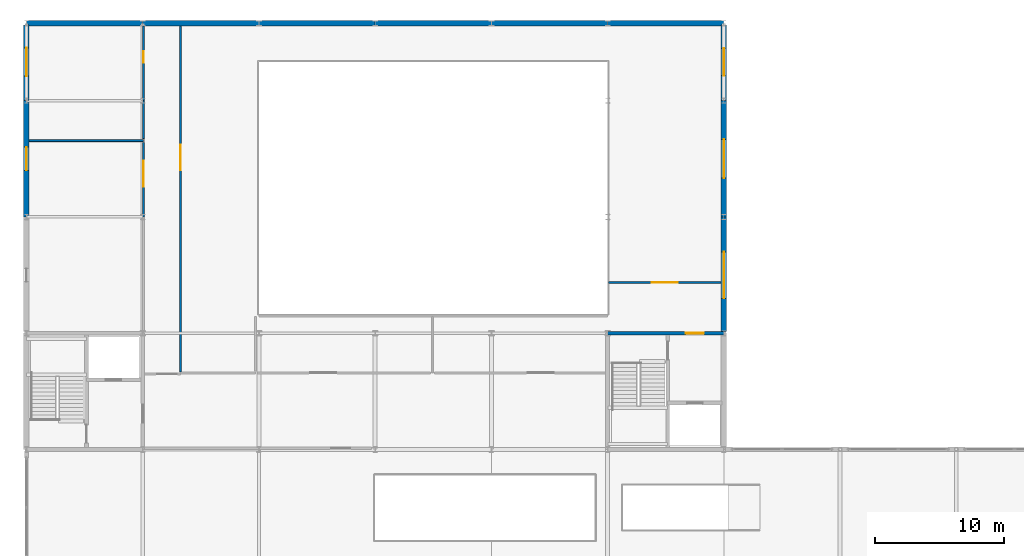
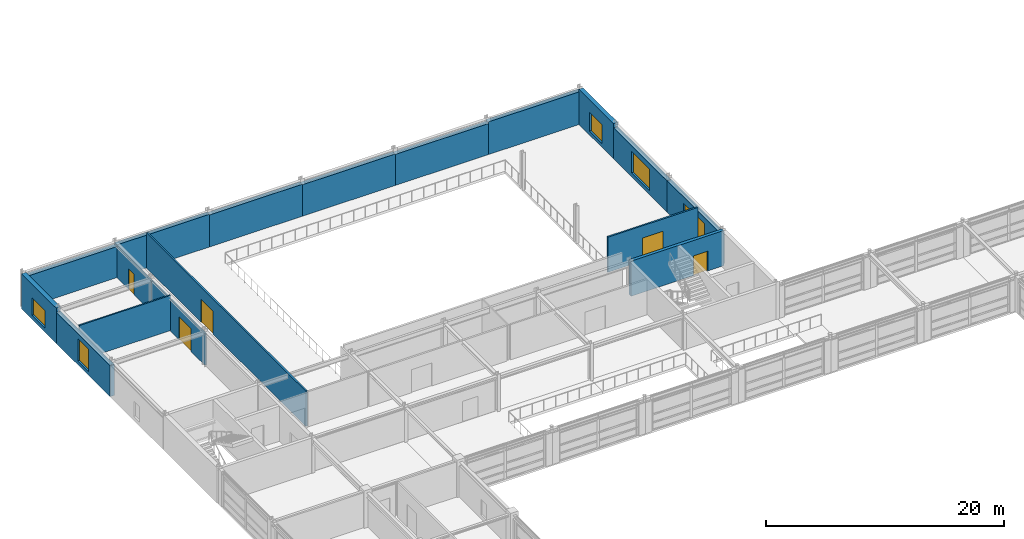
# One storey, part 68 of 79: 18 walls, 5 doors, 5 windows, 10 openings.
"""IFC4 building model written with IfcOpenShell, lengths in metres."""

from ifc_helpers import new_model, si_unit, direction, frame, frame_2d, origin, place, context, subcontext, project, spatial, rectangle, extrude, material, layer, layer_set, type_object, element, fill, save


model = new_model("IFC4")

# Units and contexts
model_context = context("Model", 3, precision=1e-05, world=origin(), true_north=direction((0.0, 1.0)))
body_context = subcontext(model_context, "Body", "Model", "MODEL_VIEW")
ifc_project = project(units=[si_unit("LENGTHUNIT", "METRE"), si_unit("AREAUNIT", "SQUARE_METRE"), si_unit("VOLUMEUNIT", "CUBIC_METRE"), si_unit("PLANEANGLEUNIT", "RADIAN"), si_unit("MASSUNIT", "GRAM", prefix="KILO")], contexts=[model_context])

# Site, building, storey
site_placement = place(None, origin())
site = spatial("IfcSite", under=ifc_project, at=site_placement, CompositionType="ELEMENT")
building_placement = place(site_placement, origin())
building = spatial("IfcBuilding", under=site, at=building_placement, Name="Palais des Congres Ocreval", CompositionType="ELEMENT")
storey_placement = place(building_placement, frame((0.0, 0.0, 4.320068359375)))
storey = spatial("IfcBuildingStorey", under=building, at=storey_placement, Name="L01", CompositionType="ELEMENT", Elevation=4.320068359375)

# Walls
ifc_material_1 = material(Name="Moisture-resistant gypsum board")
ifc_layer_1 = layer(ifc_material_1, 0.139892578125)
ifc_layer_set_1 = layer_set([ifc_layer_1], Name="Bathroom Plumbing Chase Wall 140 Gypsum (Moisture-resistant gypsum board)")
wall_type_1 = type_object("IfcWallType", Name="Bathroom Plumbing Chase Wall 140 Gypsum", PredefinedType="PLUMBINGWALL", material=ifc_layer_set_1)
wall_1_placement = place(storey_placement, frame((0.215087890625, 104.909912109375, 0.0), z_axis=(0.0, 0.0, 1.0), x_axis=(1.0, 0.0, 0.0)))
element("IfcWall", 1, at=wall_1_placement, inside=storey, type_object=wall_type_1, Name="Interior Partition PW03 L01", PredefinedType="PLUMBINGWALL", context=body_context, shape_type="SweptSolid", body=[
    extrude(rectangle(XDim=8.844970703125, YDim=0.139892578125, at=frame_2d((4.42236328125, 0.0))), origin(), (0.0, 0.0, 1.0), 3.599853515625),
])
wall_2_placement = place(storey_placement, frame((9.06494140625, 105.06494140625, 0.0), z_axis=(0.0, 0.0, 1.0), x_axis=(0.0, 1.0, 0.0)))
element("IfcWall", 2, at=wall_2_placement, inside=storey, type_object=wall_type_1, Name="Interior Partition PW03 L01", PredefinedType="PLUMBINGWALL", context=body_context, shape_type="SweptSolid", body=[
    extrude(rectangle(XDim=2.9150390625, YDim=0.139892578125, at=frame_2d((1.45751953125, 0.0))), origin(), (0.0, 0.0, 1.0), 3.25),
])

# Wall, opening, door
wall_3_placement = place(storey_placement, frame((9.06494140625, 107.97998046875, 0.0), z_axis=(0.0, 0.0, 1.0), x_axis=(0.0, 1.0, 0.0)))
wall_3 = element("IfcWall", 3, at=wall_3_placement, inside=storey, type_object=wall_type_1, Name="Interior Partition PW03 L01", PredefinedType="PLUMBINGWALL", context=body_context, shape_type="SweptSolid", body=[
    extrude(rectangle(XDim=5.804931640625, YDim=0.139892578125, at=frame_2d((2.90234375, 0.0))), origin(), (0.0, 0.0, 1.0), 3.18994140625),
])
opening_1_placement = place(wall_3_placement, frame((2.955078125, 0.0, 0.0)))
opening_1 = element("IfcOpeningElement", 4, at=opening_1_placement, cuts=wall_3, Name="Opening D09", PredefinedType="OPENING", context=body_context, shape_type="SweptSolid", body=[
    extrude(rectangle(XDim=0.89990234375, YDim=2.10009765625, at=frame_2d((0.449951171875, 1.050048828125))), frame((0.0, 0.079833984375, 0.0), z_axis=(0.0, -1.0, 0.0), x_axis=(1.0, 0.0, 0.0)), (0.0, 0.0, 1.0), 0.159912109375),
])
ifc_material_2 = material(Name="Solid French oak", Category="wood")
door_type_1 = type_object("IfcDoorType", Name="Accessible Restroom Door 900x2100", OperationType="NOTDEFINED", PredefinedType="DOOR", material=ifc_material_2)
door_1_placement = place(opening_1_placement, origin())
door_1 = element("IfcDoor", 5, at=door_1_placement, inside=storey, type_object=door_type_1, Name="Interior Door D09 L01", OperationType="SINGLE_SWING_LEFT", OverallHeight=2.10009765625, OverallWidth=0.89990234375, PredefinedType="DOOR", context=body_context, shape_type="SweptSolid", body=[
    extrude(rectangle(XDim=0.89990234375, YDim=2.10009765625, at=frame_2d((0.449951171875, 1.050048828125))), frame((0.0, 0.02490234375, 0.0), z_axis=(0.0, -1.0, 0.0), x_axis=(1.0, 0.0, 0.0)), (0.0, 0.0, 1.0), 0.050048828125),
])
fill(opening_1, door_1)

# Wall, opening, window
ifc_material_3 = material(Name="Concrete C40/50", Category="concrete")
ifc_layer_2 = layer(ifc_material_3, 0.419921875)
ifc_layer_set_2 = layer_set([ifc_layer_2], Name="Congress Stone Facade Wall 420 Concrete C40/50")
wall_type_2 = type_object("IfcWallType", Name="Congress Stone Facade Wall 420 Concrete C40/50", PredefinedType="SOLIDWALL", material=ifc_layer_set_2)
wall_4_placement = place(storey_placement, frame((0.0, 99.0, 0.0), z_axis=(0.0, 0.0, 1.0), x_axis=(0.0, 1.0, 0.0)))
wall_4 = element("IfcWall", 6, at=wall_4_placement, inside=storey, type_object=wall_type_2, Name="Exterior Wall EW02 L01", PredefinedType="SOLIDWALL", context=body_context, shape_type="SweptSolid", body=[
    extrude(rectangle(XDim=9.0, YDim=0.419921875, at=frame_2d((4.5, 0.0))), origin(), (0.0, 0.0, 1.0), 3.179931640625),
])
opening_2_placement = place(wall_4_placement, frame((3.60009765625, 0.0, 0.39990234375)))
opening_2 = element("IfcOpeningElement", 7, at=opening_2_placement, cuts=wall_4, Name="Opening WN12", PredefinedType="OPENING", context=body_context, shape_type="SweptSolid", body=[
    extrude(rectangle(XDim=1.800048828125, YDim=2.300048828125, at=frame_2d((0.89990234375, 1.14990234375))), frame((0.0, 0.219970703125, 0.0), z_axis=(0.0, -1.0, 0.0), x_axis=(1.0, 0.0, 0.0)), (0.0, 0.0, 1.0), 0.43994140625),
])
ifc_material_4 = material(Name="Anodized bronze aluminium and low-E glass", Category="glass")
window_type_1 = type_object("IfcWindowType", Name="Gastronomy Mezzanine Window 1800x2300", PartitioningType="SINGLE_PANEL", PredefinedType="WINDOW", material=ifc_material_4)
window_1_placement = place(opening_2_placement, origin())
window_1 = element("IfcWindow", 8, at=window_1_placement, inside=storey, type_object=window_type_1, Name="Facade Window WN12", OverallHeight=2.300048828125, OverallWidth=1.800048828125, PartitioningType="SINGLE_PANEL", PredefinedType="WINDOW", context=body_context, shape_type="SweptSolid", body=[
    extrude(rectangle(XDim=1.800048828125, YDim=2.300048828125, at=frame_2d((0.89990234375, 1.14990234375))), frame((0.0, 0.030029296875, 0.0), z_axis=(0.0, -1.0, 0.0), x_axis=(1.0, 0.0, 0.0)), (0.0, 0.0, 1.0), 0.06005859375),
])
fill(opening_2, window_1)

wall_5_placement = place(storey_placement, frame((0.0, 108.0, 0.0), z_axis=(0.0, 0.0, 1.0), x_axis=(0.0, 1.0, 0.0)))
wall_5 = element("IfcWall", 9, at=wall_5_placement, inside=storey, type_object=wall_type_2, Name="Exterior Wall EW02 L01", PredefinedType="SOLIDWALL", context=body_context, shape_type="SweptSolid", body=[
    extrude(rectangle(XDim=5.844970703125, YDim=0.419921875, at=frame_2d((2.92236328125, 0.0))), origin(), (0.0, 0.0, 1.0), 3.599853515625),
])
opening_3_placement = place(wall_5_placement, frame((1.89990234375, 0.0, 0.39990234375)))
opening_3 = element("IfcOpeningElement", 10, at=opening_3_placement, cuts=wall_5, Name="Opening WN13", PredefinedType="OPENING", context=body_context, shape_type="SweptSolid", body=[
    extrude(rectangle(XDim=2.199951171875, YDim=1.800048828125, at=frame_2d((1.10009765625, 0.89990234375))), frame((0.0, 0.219970703125, 0.0), z_axis=(0.0, -1.0, 0.0), x_axis=(1.0, 0.0, 0.0)), (0.0, 0.0, 1.0), 0.43994140625),
])
window_type_2 = type_object("IfcWindowType", Name="Seminar Facade Window 2200x1800", PartitioningType="SINGLE_PANEL", PredefinedType="WINDOW", material=ifc_material_4)
window_2_placement = place(opening_3_placement, origin())
window_2 = element("IfcWindow", 11, at=window_2_placement, inside=storey, type_object=window_type_2, Name="Facade Window WN13", OverallHeight=1.800048828125, OverallWidth=2.199951171875, PartitioningType="SINGLE_PANEL", PredefinedType="WINDOW", context=body_context, shape_type="SweptSolid", body=[
    extrude(rectangle(XDim=2.199951171875, YDim=1.800048828125, at=frame_2d((1.10009765625, 0.89990234375))), frame((0.0, 0.030029296875, 0.0), z_axis=(0.0, -1.0, 0.0), x_axis=(1.0, 0.0, 0.0)), (0.0, 0.0, 1.0), 0.06005859375),
])
fill(opening_3, window_2)

# Walls
wall_6_placement = place(storey_placement, frame((0.0, 114.0, 0.0), z_axis=(0.0, 0.0, 1.0), x_axis=(1.0, 0.0, 0.0)))
element("IfcWall", 12, at=wall_6_placement, inside=storey, type_object=wall_type_2, Name="Exterior Wall EW02 L01", PredefinedType="SOLIDWALL", context=body_context, shape_type="SweptSolid", body=[
    extrude(rectangle(XDim=9.0, YDim=0.419921875, at=frame_2d((4.5, 0.0))), origin(), (0.0, 0.0, 1.0), 3.179931640625),
])
wall_7_placement = place(storey_placement, frame((9.0, 114.0, 0.0), z_axis=(0.0, 0.0, 1.0), x_axis=(1.0, 0.0, 0.0)))
element("IfcWall", 13, at=wall_7_placement, inside=storey, type_object=wall_type_2, Name="Exterior Wall EW02 L01", PredefinedType="SOLIDWALL", context=body_context, shape_type="SweptSolid", body=[
    extrude(rectangle(XDim=9.0, YDim=0.419921875, at=frame_2d((4.5, 0.0))), origin(), (0.0, 0.0, 1.0), 3.349853515625),
])
wall_8_placement = place(storey_placement, frame((18.0, 114.0, 0.0), z_axis=(0.0, 0.0, 1.0), x_axis=(1.0, 0.0, 0.0)))
element("IfcWall", 14, at=wall_8_placement, inside=storey, type_object=wall_type_2, Name="Exterior Wall EW02 L01", PredefinedType="SOLIDWALL", context=body_context, shape_type="SweptSolid", body=[
    extrude(rectangle(XDim=9.0, YDim=0.419921875, at=frame_2d((4.5, 0.0))), origin(), (0.0, 0.0, 1.0), 3.280029296875),
])
wall_9_placement = place(storey_placement, frame((27.0, 114.0, 0.0), z_axis=(0.0, 0.0, 1.0), x_axis=(1.0, 0.0, 0.0)))
element("IfcWall", 15, at=wall_9_placement, inside=storey, type_object=wall_type_2, Name="Exterior Wall EW02 L01", PredefinedType="SOLIDWALL", context=body_context, shape_type="SweptSolid", body=[
    extrude(rectangle(XDim=9.0, YDim=0.419921875, at=frame_2d((4.5, 0.0))), origin(), (0.0, 0.0, 1.0), 3.219970703125),
])
wall_10_placement = place(storey_placement, frame((36.0, 114.0, 0.0), z_axis=(0.0, 0.0, 1.0), x_axis=(1.0, 0.0, 0.0)))
element("IfcWall", 16, at=wall_10_placement, inside=storey, type_object=wall_type_2, Name="Exterior Wall EW02 L01", PredefinedType="SOLIDWALL", context=body_context, shape_type="SweptSolid", body=[
    extrude(rectangle(XDim=9.0, YDim=0.419921875, at=frame_2d((4.5, 0.0))), origin(), (0.0, 0.0, 1.0), 3.179931640625),
])
wall_11_placement = place(storey_placement, frame((45.0, 114.0, 0.0), z_axis=(0.0, 0.0, 1.0), x_axis=(1.0, 0.0, 0.0)))
element("IfcWall", 17, at=wall_11_placement, inside=storey, type_object=wall_type_2, Name="Exterior Wall EW02 L01", PredefinedType="SOLIDWALL", context=body_context, shape_type="SweptSolid", body=[
    extrude(rectangle(XDim=9.0, YDim=0.419921875, at=frame_2d((4.5, 0.0))), origin(), (0.0, 0.0, 1.0), 3.349853515625),
])

# Wall, opening, window
wall_12_placement = place(storey_placement, frame((54.0, 113.844970703125, 0.0), z_axis=(0.0, 0.0, 1.0), x_axis=(0.0, -1.0, 0.0)))
wall_12 = element("IfcWall", 18, at=wall_12_placement, inside=storey, type_object=wall_type_2, Name="Exterior Wall EW02 L01", PredefinedType="SOLIDWALL", context=body_context, shape_type="SweptSolid", body=[
    extrude(rectangle(XDim=5.844970703125, YDim=0.419921875, at=frame_2d((2.92236328125, 0.0))), origin(), (0.0, 0.0, 1.0), 3.599853515625),
])
opening_4_placement = place(wall_12_placement, frame((1.794921875, 0.0, 0.39990234375)))
opening_4 = element("IfcOpeningElement", 19, at=opening_4_placement, cuts=wall_12, Name="Opening WN05", PredefinedType="OPENING", context=body_context, shape_type="SweptSolid", body=[
    extrude(rectangle(XDim=2.10009765625, YDim=1.949951171875, at=frame_2d((1.050048828125, 0.97509765625))), frame((0.0, 0.219970703125, 0.0), z_axis=(0.0, -1.0, 0.0), x_axis=(1.0, 0.0, 0.0)), (0.0, 0.0, 1.0), 0.43994140625),
])
window_type_3 = type_object("IfcWindowType", Name="Junior Suite Window 2100x1950", PartitioningType="SINGLE_PANEL", PredefinedType="WINDOW", material=ifc_material_4)
window_3_placement = place(opening_4_placement, origin())
window_3 = element("IfcWindow", 20, at=window_3_placement, inside=storey, type_object=window_type_3, Name="Facade Window WN05", OverallHeight=1.949951171875, OverallWidth=2.10009765625, PartitioningType="SINGLE_PANEL", PredefinedType="WINDOW", context=body_context, shape_type="SweptSolid", body=[
    extrude(rectangle(XDim=2.10009765625, YDim=1.949951171875, at=frame_2d((1.050048828125, 0.97509765625))), frame((0.0, 0.030029296875, 0.0), z_axis=(0.0, -1.0, 0.0), x_axis=(1.0, 0.0, 0.0)), (0.0, 0.0, 1.0), 0.06005859375),
])
fill(opening_4, window_3)

wall_13_placement = place(storey_placement, frame((54.0, 108.0, 0.0), z_axis=(0.0, 0.0, 1.0), x_axis=(0.0, -1.0, 0.0)))
wall_13 = element("IfcWall", 21, at=wall_13_placement, inside=storey, type_object=wall_type_2, Name="Exterior Wall EW02 L01", PredefinedType="SOLIDWALL", context=body_context, shape_type="SweptSolid", body=[
    extrude(rectangle(XDim=9.0, YDim=0.419921875, at=frame_2d((4.5, 0.0))), origin(), (0.0, 0.0, 1.0), 3.179931640625),
])
opening_5_placement = place(wall_13_placement, frame((3.0, 0.0, 0.39990234375)))
opening_5 = element("IfcOpeningElement", 22, at=opening_5_placement, cuts=wall_13, Name="Opening WN07", PredefinedType="OPENING", context=body_context, shape_type="SweptSolid", body=[
    extrude(rectangle(XDim=3.0, YDim=2.199951171875, at=frame_2d((1.5, 1.10009765625))), frame((0.0, 0.219970703125, 0.0), z_axis=(0.0, -1.0, 0.0), x_axis=(1.0, 0.0, 0.0)), (0.0, 0.0, 1.0), 0.43994140625),
])
window_type_4 = type_object("IfcWindowType", Name="Crown Belvedere Window 3000x2200", PartitioningType="SINGLE_PANEL", PredefinedType="WINDOW", material=ifc_material_4)
window_4_placement = place(opening_5_placement, origin())
window_4 = element("IfcWindow", 23, at=window_4_placement, inside=storey, type_object=window_type_4, Name="Facade Window WN07", OverallHeight=2.199951171875, OverallWidth=3.0, PartitioningType="SINGLE_PANEL", PredefinedType="WINDOW", context=body_context, shape_type="SweptSolid", body=[
    extrude(rectangle(XDim=3.0, YDim=2.199951171875, at=frame_2d((1.5, 1.10009765625))), frame((0.0, 0.030029296875, 0.0), z_axis=(0.0, -1.0, 0.0), x_axis=(1.0, 0.0, 0.0)), (0.0, 0.0, 1.0), 0.06005859375),
])
fill(opening_5, window_4)

wall_14_placement = place(storey_placement, frame((54.0, 99.0, 0.0), z_axis=(0.0, 0.0, 1.0), x_axis=(0.0, -1.0, 0.0)))
wall_14 = element("IfcWall", 24, at=wall_14_placement, inside=storey, type_object=wall_type_2, Name="Exterior Wall EW02 L01", PredefinedType="SOLIDWALL", context=body_context, shape_type="SweptSolid", body=[
    extrude(rectangle(XDim=8.8701171875, YDim=0.419921875, at=frame_2d((4.43505859375, 0.0))), origin(), (0.0, 0.0, 1.0), 3.219970703125),
])
opening_6_placement = place(wall_14_placement, frame((2.699951171875, 0.0, 0.39990234375)))
opening_6 = element("IfcOpeningElement", 25, at=opening_6_placement, cuts=wall_14, Name="Opening WN08", PredefinedType="OPENING", context=body_context, shape_type="SweptSolid", body=[
    extrude(rectangle(XDim=3.60009765625, YDim=2.199951171875, at=frame_2d((1.800048828125, 1.10009765625))), frame((0.0, 0.219970703125, 0.0), z_axis=(0.0, -1.0, 0.0), x_axis=(1.0, 0.0, 0.0)), (0.0, 0.0, 1.0), 0.43994140625),
])
window_type_5 = type_object("IfcWindowType", Name="Crown Salon Window 3600x2200", PartitioningType="SINGLE_PANEL", PredefinedType="WINDOW", material=ifc_material_4)
window_5_placement = place(opening_6_placement, origin())
window_5 = element("IfcWindow", 26, at=window_5_placement, inside=storey, type_object=window_type_5, Name="Facade Window WN08", OverallHeight=2.199951171875, OverallWidth=3.60009765625, PartitioningType="SINGLE_PANEL", PredefinedType="WINDOW", context=body_context, shape_type="SweptSolid", body=[
    extrude(rectangle(XDim=3.60009765625, YDim=2.199951171875, at=frame_2d((1.800048828125, 1.10009765625))), frame((0.0, 0.030029296875, 0.0), z_axis=(0.0, -1.0, 0.0), x_axis=(1.0, 0.0, 0.0)), (0.0, 0.0, 1.0), 0.06005859375),
])
fill(opening_6, window_5)

# Wall, opening, door
ifc_layer_3 = layer(ifc_material_3, 0.300048828125)
ifc_layer_set_3 = layer_set([ifc_layer_3], Name="Core Shear Wall 300 Concrete C40/50")
wall_type_3 = type_object("IfcWallType", Name="Core Shear Wall 300 Concrete C40/50", PredefinedType="SHEAR", material=ifc_layer_set_3)
wall_15_placement = place(storey_placement, frame((45.0, 90.0, 0.0), z_axis=(0.0, 0.0, 1.0), x_axis=(1.0, 0.0, 0.0)))
wall_15 = element("IfcWall", 27, at=wall_15_placement, inside=storey, type_object=wall_type_3, Name="Core Shear Wall SC06 L01 N", PredefinedType="SHEAR", context=body_context, shape_type="SweptSolid", body=[
    extrude(rectangle(XDim=9.0, YDim=0.300048828125, at=frame_2d((4.5, 0.0))), origin(), (0.0, 0.0, 1.0), 3.599853515625),
])
opening_7_placement = place(wall_15_placement, frame((6.050048828125, 0.0, 0.0)))
opening_7 = element("IfcOpeningElement", 28, at=opening_7_placement, cuts=wall_15, Name="Opening D03", PredefinedType="OPENING", context=body_context, shape_type="SweptSolid", body=[
    extrude(rectangle(XDim=1.39990234375, YDim=2.02001953125, at=frame_2d((0.699951171875, 1.010009765625))), frame((0.0, 0.159912109375, 0.0), z_axis=(0.0, -1.0, 0.0), x_axis=(1.0, 0.0, 0.0)), (0.0, 0.0, 1.0), 0.320068359375),
])
ifc_material_5 = material(Name="Painted fire-rated steel", Category="steel")
door_type_2 = type_object("IfcDoorType", Name="Core Lobby Rated Door 1400x2020", OperationType="NOTDEFINED", PredefinedType="DOOR", material=ifc_material_5)
door_2_placement = place(opening_7_placement, origin())
door_2 = element("IfcDoor", 29, at=door_2_placement, inside=storey, type_object=door_type_2, Name="Lobby Entrance Door SC06 L01", OperationType="DOUBLE_DOOR_SINGLE_SWING", OverallHeight=2.02001953125, OverallWidth=1.39990234375, PredefinedType="DOOR", context=body_context, shape_type="SweptSolid", body=[
    extrude(rectangle(XDim=1.39990234375, YDim=2.02001953125, at=frame_2d((0.699951171875, 1.010009765625))), frame((0.0, 0.02490234375, 0.0), z_axis=(0.0, -1.0, 0.0), x_axis=(1.0, 0.0, 0.0)), (0.0, 0.0, 1.0), 0.050048828125),
])
fill(opening_7, door_2)

ifc_material_6 = material(Name="Gypsum acoustic partition")
ifc_layer_4 = layer(ifc_material_6, 0.159912109375)
ifc_layer_set_4 = layer_set([ifc_layer_4], Name="Corridor Fire Partition 160 Gypsum (Gypsum acoustic partition)")
wall_type_4 = type_object("IfcWallType", Name="Corridor Fire Partition 160 Gypsum", PredefinedType="PARTITIONING", material=ifc_layer_set_4)
wall_16_placement = place(storey_placement, frame((11.93505859375, 87.0048828125, 0.0), z_axis=(0.0, 0.0, 1.0), x_axis=(0.0, 1.0, 0.0)))
wall_16 = element("IfcWall", 30, at=wall_16_placement, inside=storey, type_object=wall_type_4, Name="Interior Partition IW03 L01", PredefinedType="PARTITIONING", context=body_context, shape_type="SweptSolid", body=[
    extrude(rectangle(XDim=26.780029296875, YDim=0.159912109375, at=frame_2d((13.39013671875, 0.0))), origin(), (0.0, 0.0, 1.0), 3.599853515625),
])
opening_8_placement = place(wall_16_placement, frame((15.603515625, 0.0, 0.0)))
opening_8 = element("IfcOpeningElement", 31, at=opening_8_placement, cuts=wall_16, Name="Opening D13", PredefinedType="OPENING", context=body_context, shape_type="SweptSolid", body=[
    extrude(rectangle(XDim=2.0, YDim=2.35009765625, at=frame_2d((1.0, 1.175048828125))), frame((0.0, 0.08984375, 0.0), z_axis=(0.0, -1.0, 0.0), x_axis=(1.0, 0.0, 0.0)), (0.0, 0.0, 1.0), 0.179931640625),
])
ifc_material_7 = material(Name="Acoustic oak and bronze", Category="wood")
door_type_3 = type_object("IfcDoorType", Name="Congress Hall Acoustic Double Door 2000x2350", OperationType="NOTDEFINED", PredefinedType="DOOR", material=ifc_material_7)
door_3_placement = place(opening_8_placement, origin())
door_3 = element("IfcDoor", 32, at=door_3_placement, inside=storey, type_object=door_type_3, Name="Interior Door D13 L01", OperationType="DOUBLE_DOOR_SINGLE_SWING", OverallHeight=2.35009765625, OverallWidth=2.0, PredefinedType="DOOR", context=body_context, shape_type="SweptSolid", body=[
    extrude(rectangle(XDim=2.0, YDim=2.35009765625, at=frame_2d((1.0, 1.175048828125))), frame((0.0, 0.02490234375, 0.0), z_axis=(0.0, -1.0, 0.0), x_axis=(1.0, 0.0, 0.0)), (0.0, 0.0, 1.0), 0.050048828125),
])
fill(opening_8, door_3)

wall_17_placement = place(storey_placement, frame((45.070068359375, 93.93505859375, 0.0), z_axis=(0.0, 0.0, 1.0), x_axis=(1.0, 0.0, 0.0)))
wall_17 = element("IfcWall", 33, at=wall_17_placement, inside=storey, type_object=wall_type_4, Name="Interior Partition IW03 L01", PredefinedType="PARTITIONING", context=body_context, shape_type="SweptSolid", body=[
    extrude(rectangle(XDim=8.71484375, YDim=0.159912109375, at=frame_2d((4.357421875, 0.0))), origin(), (0.0, 0.0, 1.0), 3.599853515625),
])
opening_9_placement = place(wall_17_placement, frame((3.357421875, 0.0, 0.0)))
opening_9 = element("IfcOpeningElement", 34, at=opening_9_placement, cuts=wall_17, Name="Opening D13", PredefinedType="OPENING", context=body_context, shape_type="SweptSolid", body=[
    extrude(rectangle(XDim=2.0, YDim=2.35009765625, at=frame_2d((1.0, 1.175048828125))), frame((0.0, 0.08984375, 0.0), z_axis=(0.0, -1.0, 0.0), x_axis=(1.0, 0.0, 0.0)), (0.0, 0.0, 1.0), 0.179931640625),
])
door_4_placement = place(opening_9_placement, origin())
door_4 = element("IfcDoor", 35, at=door_4_placement, inside=storey, type_object=door_type_3, Name="Interior Door D13 L01", OperationType="DOUBLE_DOOR_SINGLE_SWING", OverallHeight=2.35009765625, OverallWidth=2.0, PredefinedType="DOOR", context=body_context, shape_type="SweptSolid", body=[
    extrude(rectangle(XDim=2.0, YDim=2.35009765625, at=frame_2d((1.0, 1.175048828125))), frame((0.0, 0.02490234375, 0.0), z_axis=(0.0, -1.0, 0.0), x_axis=(1.0, 0.0, 0.0)), (0.0, 0.0, 1.0), 0.050048828125),
])
fill(opening_9, door_4)

wall_18_placement = place(storey_placement, frame((9.06494140625, 98.97998046875, 0.0), z_axis=(0.0, 0.0, 1.0), x_axis=(0.0, 1.0, 0.0)))
wall_18 = element("IfcWall", 36, at=wall_18_placement, inside=storey, type_object=wall_type_4, Name="Interior Partition IW03 L01", PredefinedType="PARTITIONING", context=body_context, shape_type="SweptSolid", body=[
    extrude(rectangle(XDim=5.77490234375, YDim=0.159912109375, at=frame_2d((2.887451171875, 0.0))), origin(), (0.0, 0.0, 1.0), 3.25),
])
opening_10_placement = place(wall_18_placement, frame((2.375, 0.0, 0.0)))
opening_10 = element("IfcOpeningElement", 37, at=opening_10_placement, cuts=wall_18, Name="Opening D13", PredefinedType="OPENING", context=body_context, shape_type="SweptSolid", body=[
    extrude(rectangle(XDim=2.0, YDim=2.35009765625, at=frame_2d((1.0, 1.175048828125))), frame((0.0, 0.08984375, 0.0), z_axis=(0.0, -1.0, 0.0), x_axis=(1.0, 0.0, 0.0)), (0.0, 0.0, 1.0), 0.179931640625),
])
door_5_placement = place(opening_10_placement, origin())
door_5 = element("IfcDoor", 38, at=door_5_placement, inside=storey, type_object=door_type_3, Name="Interior Door D13 L01", OperationType="DOUBLE_DOOR_SINGLE_SWING", OverallHeight=2.35009765625, OverallWidth=2.0, PredefinedType="DOOR", context=body_context, shape_type="SweptSolid", body=[
    extrude(rectangle(XDim=2.0, YDim=2.35009765625, at=frame_2d((1.0, 1.175048828125))), frame((0.0, 0.02490234375, 0.0), z_axis=(0.0, -1.0, 0.0), x_axis=(1.0, 0.0, 0.0)), (0.0, 0.0, 1.0), 0.050048828125),
])
fill(opening_10, door_5)

save(model, "model.ifc")
